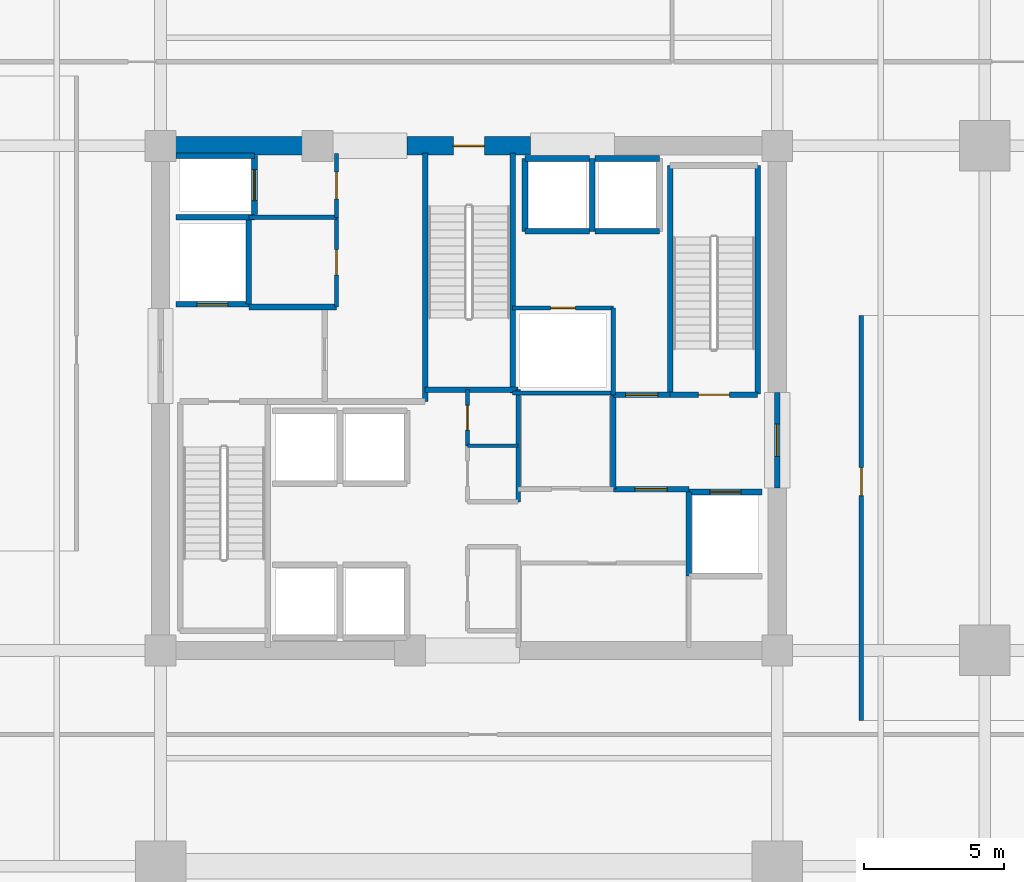
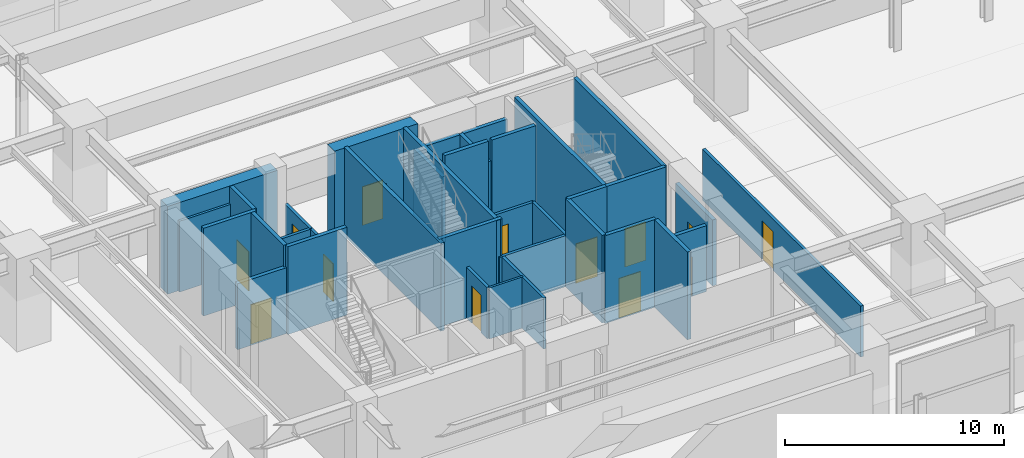
# One storey, part 31 of 35: 36 walls, 13 doors, 13 openings.
"""IFC4 building model written with IfcOpenShell, lengths in metres."""

from ifc_helpers import new_model, si_unit, direction, frame, frame_2d, origin, place, context, subcontext, project, spatial, rectangle, extrude, material, layer, layer_set, type_object, element, fill, save


model = new_model("IFC4")

# Units and contexts
model_context = context("Model", 3, precision=1e-05, world=origin(), true_north=direction((0.0, 1.0)))
body_context = subcontext(model_context, "Body", "Model", "MODEL_VIEW")
ifc_project = project(units=[si_unit("LENGTHUNIT", "METRE"), si_unit("AREAUNIT", "SQUARE_METRE"), si_unit("VOLUMEUNIT", "CUBIC_METRE"), si_unit("PLANEANGLEUNIT", "RADIAN"), si_unit("MASSUNIT", "GRAM", prefix="KILO")], contexts=[model_context])

# Site, building, storey
site_placement = place(None, origin())
site = spatial("IfcSite", under=ifc_project, at=site_placement, CompositionType="ELEMENT")
building_placement = place(site_placement, origin())
building = spatial("IfcBuilding", under=site, at=building_placement, Name="Kovane Verandah Tower", CompositionType="ELEMENT")
storey_placement = place(building_placement, frame((0.0, 0.0, 16.39990234375)))
storey = spatial("IfcBuildingStorey", under=building, at=storey_placement, Name="L03", CompositionType="ELEMENT", Elevation=16.39990234375)

# Wall
ifc_material_1 = material(Name="Fire-Rated Gypsum Stud Partition", Category="gypsum")
ifc_layer_1 = layer(ifc_material_1, 0.14990234375)
ifc_layer_set_1 = layer_set([ifc_layer_1], Name="Fire-Rated Gypsum Stud Partition")
wall_type_1 = type_object("IfcWallType", Name="WL-COR-150", PredefinedType="PARTITIONING", material=ifc_layer_set_1)
wall_1_placement = place(storey_placement, frame((41.760009765625, 23.800048828125, 0.0), z_axis=(0.0, 0.0, 1.0), x_axis=(0.0, 1.0, 0.0)))
element("IfcWall", 1, at=wall_1_placement, inside=storey, type_object=wall_type_1, Name="L03 Central Core Strip Upper East Wall", PredefinedType="PARTITIONING", context=body_context, shape_type="SweptSolid", body=[
    extrude(rectangle(XDim=4.0, YDim=0.14990234375, at=frame_2d((2.0, 0.0))), origin(), (0.0, 0.0, 1.0), 2.85009765625),
])

# Wall, opening, door
wall_2_placement = place(storey_placement, frame((39.949951171875, 25.800048828125, 0.0), z_axis=(0.0, 0.0, 1.0), x_axis=(0.0, 1.0, 0.0)))
wall_2 = element("IfcWall", 2, at=wall_2_placement, inside=storey, type_object=wall_type_1, Name="L03 Telecom and BMS Riser Room Partition", PredefinedType="PARTITIONING", context=body_context, shape_type="SweptSolid", body=[
    extrude(rectangle(XDim=2.0, YDim=0.14990234375, at=frame_2d((1.0, 0.0))), origin(), (0.0, 0.0, 1.0), 2.85009765625),
])
opening_1_placement = place(wall_2_placement, frame((0.56005859375, 0.0, 0.0)))
opening_1 = element("IfcOpeningElement", 3, at=opening_1_placement, cuts=wall_2, Name="Opening DR-L03-021", PredefinedType="OPENING", context=body_context, shape_type="SweptSolid", body=[
    extrude(rectangle(XDim=0.8798828125, YDim=2.10009765625, at=frame_2d((0.43994140625, 1.050048828125))), frame((0.0, 0.074951171875, 0.0), z_axis=(0.0, -1.0, 0.0), x_axis=(1.0, 0.0, 0.0)), (0.0, 0.0, 1.0), 0.14990234375),
])
ifc_material_2 = material(Name="Fire-Rated Steel Riser Access Door", Category="steel")
door_type_1 = type_object("IfcDoorType", Name="DR-RISER-880", OperationType="SINGLE_SWING_LEFT", PredefinedType="DOOR", material=ifc_material_2)
door_1_placement = place(opening_1_placement, origin())
door_1 = element("IfcDoor", 4, at=door_1_placement, inside=storey, type_object=door_type_1, Name="L03 Telecom and BMS Riser Room Door", OperationType="SINGLE_SWING_LEFT", OverallHeight=2.10009765625, OverallWidth=0.8798828125, PredefinedType="DOOR", context=body_context, shape_type="SweptSolid", body=[
    extrude(rectangle(XDim=0.8798828125, YDim=2.10009765625, at=frame_2d((0.43994140625, 1.050048828125))), frame((0.0, 0.02490234375, 0.0), z_axis=(0.0, -1.0, 0.0), x_axis=(1.0, 0.0, 0.0)), (0.0, 0.0, 1.0), 0.050048828125),
])
fill(opening_1, door_1)

# Wall
wall_3_placement = place(storey_placement, frame((32.14990234375, 33.949951171875, 0.0), z_axis=(0.0, 0.0, 1.0), x_axis=(1.0, 0.0, 0.0)))
element("IfcWall", 5, at=wall_3_placement, inside=storey, type_object=wall_type_1, Name="L03 Goods Lift Lobby South Wall", PredefinedType="PARTITIONING", context=body_context, shape_type="SweptSolid", body=[
    extrude(rectangle(XDim=3.130126953125, YDim=0.14990234375, at=frame_2d((1.56494140625, 0.0))), origin(), (0.0, 0.0, 1.0), 2.85009765625),
])

# Wall, opening, door
wall_4_placement = place(storey_placement, frame((35.280029296875, 33.949951171875, 0.0), z_axis=(0.0, 0.0, 1.0), x_axis=(0.0, 1.0, 0.0)))
wall_4 = element("IfcWall", 6, at=wall_4_placement, inside=storey, type_object=wall_type_1, Name="L03 Goods Lift Lobby East Fire Partition", PredefinedType="PARTITIONING", context=body_context, shape_type="SweptSolid", body=[
    extrude(rectangle(XDim=2.27001953125, YDim=0.14990234375, at=frame_2d((1.135009765625, 0.0))), origin(), (0.0, 0.0, 1.0), 2.85009765625),
])
opening_2_placement = place(wall_4_placement, frame((0.659912109375, 0.0, 0.0)))
opening_2 = element("IfcOpeningElement", 7, at=opening_2_placement, cuts=wall_4, Name="Opening DR-L03-006", PredefinedType="OPENING", context=body_context, shape_type="SweptSolid", body=[
    extrude(rectangle(XDim=0.949951171875, YDim=2.14990234375, at=frame_2d((0.47509765625, 1.074951171875))), frame((0.0, 0.074951171875, 0.0), z_axis=(0.0, -1.0, 0.0), x_axis=(1.0, 0.0, 0.0)), (0.0, 0.0, 1.0), 0.14990234375),
])
ifc_material_3 = material(Name="Fire-Rated Steel Refuge and Lobby Door", Category="steel")
door_type_2 = type_object("IfcDoorType", Name="DR-FIRE-950", OperationType="SINGLE_SWING_LEFT", PredefinedType="DOOR", material=ifc_material_3)
door_2_placement = place(opening_2_placement, origin())
door_2 = element("IfcDoor", 8, at=door_2_placement, inside=storey, type_object=door_type_2, Name="L03 Goods Lift Lobby Fire Door", OperationType="SINGLE_SWING_RIGHT", OverallHeight=2.14990234375, OverallWidth=0.949951171875, PredefinedType="DOOR", context=body_context, shape_type="SweptSolid", body=[
    extrude(rectangle(XDim=0.949951171875, YDim=2.14990234375, at=frame_2d((0.47509765625, 1.074951171875))), frame((0.0, 0.02490234375, 0.0), z_axis=(0.0, -1.0, 0.0), x_axis=(1.0, 0.0, 0.0)), (0.0, 0.0, 1.0), 0.050048828125),
])
fill(opening_2, door_2)

wall_5_placement = place(storey_placement, frame((35.280029296875, 30.75, 0.0), z_axis=(0.0, 0.0, 1.0), x_axis=(0.0, 1.0, 0.0)))
wall_5 = element("IfcWall", 9, at=wall_5_placement, inside=storey, type_object=wall_type_1, Name="L03 Accessible Unisex Toilet Partition", PredefinedType="PARTITIONING", context=body_context, shape_type="SweptSolid", body=[
    extrude(rectangle(XDim=3.199951171875, YDim=0.14990234375, at=frame_2d((1.60009765625, 0.0))), origin(), (0.0, 0.0, 1.0), 2.85009765625),
])
opening_3_placement = place(wall_5_placement, frame((1.14990234375, 0.0, 0.0)))
opening_3 = element("IfcOpeningElement", 10, at=opening_3_placement, cuts=wall_5, Name="Opening DR-L03-023", PredefinedType="OPENING", context=body_context, shape_type="SweptSolid", body=[
    extrude(rectangle(XDim=0.89990234375, YDim=2.10009765625, at=frame_2d((0.449951171875, 1.050048828125))), frame((0.0, 0.074951171875, 0.0), z_axis=(0.0, -1.0, 0.0), x_axis=(1.0, 0.0, 0.0)), (0.0, 0.0, 1.0), 0.14990234375),
])
ifc_material_4 = material(Name="Moisture-Resistant Laminate Washroom Door", Category="wood")
door_type_3 = type_object("IfcDoorType", Name="DR-WC-900", OperationType="SINGLE_SWING_LEFT", PredefinedType="DOOR", material=ifc_material_4)
door_3_placement = place(opening_3_placement, origin())
door_3 = element("IfcDoor", 11, at=door_3_placement, inside=storey, type_object=door_type_3, Name="L03 Accessible Unisex Toilet Door", OperationType="SINGLE_SWING_LEFT", OverallHeight=2.10009765625, OverallWidth=0.89990234375, PredefinedType="DOOR", context=body_context, shape_type="SweptSolid", body=[
    extrude(rectangle(XDim=0.89990234375, YDim=2.10009765625, at=frame_2d((0.449951171875, 1.050048828125))), frame((0.0, 0.02490234375, 0.0), z_axis=(0.0, -1.0, 0.0), x_axis=(1.0, 0.0, 0.0)), (0.0, 0.0, 1.0), 0.050048828125),
])
fill(opening_3, door_3)

# Walls
wall_6_placement = place(storey_placement, frame((41.56005859375, 27.679931640625, 0.0), z_axis=(0.0, 0.0, 1.0), x_axis=(1.0, 0.0, 0.0)))
element("IfcWall", 12, at=wall_6_placement, inside=storey, type_object=wall_type_1, Name="L03 East Core Service Riser South Wall", PredefinedType="PARTITIONING", context=body_context, shape_type="SweptSolid", body=[
    extrude(rectangle(XDim=3.58984375, YDim=0.14990234375, at=frame_2d((1.794921875, 0.0))), origin(), (0.0, 0.0, 1.0), 2.85009765625),
])
wall_7_placement = place(storey_placement, frame((45.14990234375, 27.6201171875, 0.0), z_axis=(0.0, 0.0, 1.0), x_axis=(0.0, 1.0, 0.0)))
element("IfcWall", 13, at=wall_7_placement, inside=storey, type_object=wall_type_1, Name="L03 East Core Service Riser East Wall", PredefinedType="PARTITIONING", context=body_context, shape_type="SweptSolid", body=[
    extrude(rectangle(XDim=3.099853515625, YDim=0.14990234375, at=frame_2d((1.5498046875, 0.0))), origin(), (0.0, 0.0, 1.0), 2.85009765625),
])

# Wall, opening, door
wall_8_placement = place(storey_placement, frame((41.56005859375, 30.719970703125, 0.0), z_axis=(0.0, 0.0, 1.0), x_axis=(1.0, 0.0, 0.0)))
wall_8 = element("IfcWall", 14, at=wall_8_placement, inside=storey, type_object=wall_type_1, Name="L03 Combined Chilled Water and Smoke Duct Room Partition", PredefinedType="PARTITIONING", context=body_context, shape_type="SweptSolid", body=[
    extrude(rectangle(XDim=3.58984375, YDim=0.14990234375, at=frame_2d((1.794921875, 0.0))), origin(), (0.0, 0.0, 1.0), 2.85009765625),
])
opening_4_placement = place(wall_8_placement, frame((1.35498046875, 0.0, 0.0)))
opening_4 = element("IfcOpeningElement", 15, at=opening_4_placement, cuts=wall_8, Name="Opening DR-L03-017", PredefinedType="OPENING", context=body_context, shape_type="SweptSolid", body=[
    extrude(rectangle(XDim=0.8798828125, YDim=2.10009765625, at=frame_2d((0.43994140625, 1.050048828125))), frame((0.0, 0.074951171875, 0.0), z_axis=(0.0, -1.0, 0.0), x_axis=(1.0, 0.0, 0.0)), (0.0, 0.0, 1.0), 0.14990234375),
])
door_4_placement = place(opening_4_placement, origin())
door_4 = element("IfcDoor", 16, at=door_4_placement, inside=storey, type_object=door_type_1, Name="L03 Combined Chilled Water and Smoke Duct Room Door", OperationType="SINGLE_SWING_RIGHT", OverallHeight=2.10009765625, OverallWidth=0.8798828125, PredefinedType="DOOR", context=body_context, shape_type="SweptSolid", body=[
    extrude(rectangle(XDim=0.8798828125, YDim=2.10009765625, at=frame_2d((0.43994140625, 1.050048828125))), frame((0.0, 0.02490234375, 0.0), z_axis=(0.0, -1.0, 0.0), x_axis=(1.0, 0.0, 0.0)), (0.0, 0.0, 1.0), 0.050048828125),
])
fill(opening_4, door_4)

wall_9_placement = place(storey_placement, frame((54.0, 16.0, 0.0), z_axis=(0.0, 0.0, 1.0), x_axis=(0.0, 1.0, 0.0)))
wall_9 = element("IfcWall", 17, at=wall_9_placement, inside=storey, type_object=wall_type_1, Name="L03 East Tenant Business Lounge Corridor Partition", PredefinedType="PARTITIONING", context=body_context, shape_type="SweptSolid", body=[
    extrude(rectangle(XDim=14.449951171875, YDim=0.14990234375, at=frame_2d((7.22509765625, 0.0))), origin(), (0.0, 0.0, 1.0), 2.85009765625),
])
opening_5_placement = place(wall_9_placement, frame((8.02490234375, 0.0, 0.0)))
opening_5 = element("IfcOpeningElement", 18, at=opening_5_placement, cuts=wall_9, Name="Opening DR-L03-014", PredefinedType="OPENING", context=body_context, shape_type="SweptSolid", body=[
    extrude(rectangle(XDim=1.0, YDim=2.14990234375, at=frame_2d((0.5, 1.074951171875))), frame((0.0, 0.074951171875, 0.0), z_axis=(0.0, -1.0, 0.0), x_axis=(1.0, 0.0, 0.0)), (0.0, 0.0, 1.0), 0.14990234375),
])
ifc_material_5 = material(Name="FSC Spotted-Gum Timber Fire-Rated Office Door", Category="wood")
door_type_4 = type_object("IfcDoorType", Name="DR-OFF-1000", OperationType="SINGLE_SWING_LEFT", PredefinedType="DOOR", material=ifc_material_5)
door_5_placement = place(opening_5_placement, origin())
door_5 = element("IfcDoor", 19, at=door_5_placement, inside=storey, type_object=door_type_4, Name="L03 East Tenant Business Lounge Entrance Door", OperationType="SINGLE_SWING_LEFT", OverallHeight=2.14990234375, OverallWidth=1.0, PredefinedType="DOOR", context=body_context, shape_type="SweptSolid", body=[
    extrude(rectangle(XDim=1.0, YDim=2.14990234375, at=frame_2d((0.5, 1.074951171875))), frame((0.0, 0.02490234375, 0.0), z_axis=(0.0, -1.0, 0.0), x_axis=(1.0, 0.0, 0.0)), (0.0, 0.0, 1.0), 0.050048828125),
])
fill(opening_5, door_5)

# Wall
ifc_material_6 = material(Name="Concrete C80/95", Category="concrete")
ifc_layer_2 = layer(ifc_material_6, 0.64990234375)
ifc_layer_set_2 = layer_set([ifc_layer_2], Name="Concrete C80/95")
wall_type_2 = type_object("IfcWallType", Name="WL-CORE-650", PredefinedType="SHEAR", material=ifc_layer_set_2)
wall_10_placement = place(storey_placement, frame((29.0, 36.5, 0.0), z_axis=(0.0, 0.0, 1.0), x_axis=(1.0, 0.0, 0.0)))
element("IfcWall", 20, at=wall_10_placement, inside=storey, type_object=wall_type_2, Name="L03 Core Shear Wall CN-1", PredefinedType="SHEAR", context=body_context, shape_type="SweptSolid", body=[
    extrude(rectangle(XDim=5.800048828125, YDim=0.64990234375, at=frame_2d((2.89990234375, 0.0))), origin(), (0.0, 0.0, 1.0), 4.900146484375),
])

# Wall, opening, door
wall_11_placement = place(storey_placement, frame((37.800048828125, 36.5, 0.0), z_axis=(0.0, 0.0, 1.0), x_axis=(1.0, 0.0, 0.0)))
wall_11 = element("IfcWall", 21, at=wall_11_placement, inside=storey, type_object=wall_type_2, Name="L03 Core Shear Wall CN-2", PredefinedType="SHEAR", context=body_context, shape_type="SweptSolid", body=[
    extrude(rectangle(XDim=4.39990234375, YDim=0.64990234375, at=frame_2d((2.199951171875, 0.0))), origin(), (0.0, 0.0, 1.0), 4.900146484375),
])
opening_6_placement = place(wall_11_placement, frame((1.64990234375, 0.0, 0.0)))
opening_6 = element("IfcOpeningElement", 22, at=opening_6_placement, cuts=wall_11, Name="Opening DR-L03-009", PredefinedType="OPENING", context=body_context, shape_type="SweptSolid", body=[
    extrude(rectangle(XDim=1.10009765625, YDim=2.14990234375, at=frame_2d((0.550048828125, 1.074951171875))), frame((0.0, 0.324951171875, 0.0), z_axis=(0.0, -1.0, 0.0), x_axis=(1.0, 0.0, 0.0)), (0.0, 0.0, 1.0), 0.64990234375),
])
ifc_material_7 = material(Name="Fire-Rated Steel Exit Door", Category="steel")
door_type_5 = type_object("IfcDoorType", Name="DR-STAIR-1100", OperationType="SINGLE_SWING_LEFT", PredefinedType="DOOR", material=ifc_material_7)
door_6_placement = place(opening_6_placement, origin())
door_6 = element("IfcDoor", 23, at=door_6_placement, inside=storey, type_object=door_type_5, Name="L03 ST-03 Fire Exit Stair Door", OperationType="SINGLE_SWING_RIGHT", OverallHeight=2.14990234375, OverallWidth=1.10009765625, PredefinedType="DOOR", context=body_context, shape_type="SweptSolid", body=[
    extrude(rectangle(XDim=1.10009765625, YDim=2.14990234375, at=frame_2d((0.550048828125, 1.074951171875))), frame((0.0, 0.02490234375, 0.0), z_axis=(0.0, -1.0, 0.0), x_axis=(1.0, 0.0, 0.0)), (0.0, 0.0, 1.0), 0.050048828125),
])
fill(opening_6, door_6)

# Walls
ifc_material_8 = material(Name="Concrete C45/55 Fire Wall", Category="concrete")
ifc_layer_3 = layer(ifc_material_8, 0.199951171875)
ifc_layer_set_3 = layer_set([ifc_layer_3], Name="Concrete C45/55 Fire Wall")
wall_type_3 = type_object("IfcWallType", Name="WL-FFL-200", PredefinedType="PARTITIONING", material=ifc_layer_set_3)
wall_12_placement = place(storey_placement, frame((32.14990234375, 30.75, 0.0), z_axis=(0.0, 0.0, 1.0), x_axis=(1.0, 0.0, 0.0)))
element("IfcWall", 24, at=wall_12_placement, inside=storey, type_object=wall_type_3, Name="L03 West Firefighting Lobby North Fire Wall", PredefinedType="PARTITIONING", context=body_context, shape_type="SweptSolid", body=[
    extrude(rectangle(XDim=3.130126953125, YDim=0.199951171875, at=frame_2d((1.56494140625, 0.0))), origin(), (0.0, 0.0, 1.0), 4.900146484375),
])
wall_13_placement = place(storey_placement, frame((45.14990234375, 24.25, 0.0), z_axis=(0.0, 0.0, 1.0), x_axis=(0.0, 1.0, 0.0)))
element("IfcWall", 25, at=wall_13_placement, inside=storey, type_object=wall_type_3, Name="L03 East Firefighting Lobby West Fire Wall", PredefinedType="PARTITIONING", context=body_context, shape_type="SweptSolid", body=[
    extrude(rectangle(XDim=3.3701171875, YDim=0.199951171875, at=frame_2d((1.68505859375, 0.0))), origin(), (0.0, 0.0, 1.0), 4.900146484375),
])

# Wall, opening, door
wall_14_placement = place(storey_placement, frame((45.14990234375, 24.25, 0.0), z_axis=(0.0, 0.0, 1.0), x_axis=(1.0, 0.0, 0.0)))
wall_14 = element("IfcWall", 26, at=wall_14_placement, inside=storey, type_object=wall_type_3, Name="W-L03-FFLE-S", PredefinedType="PARTITIONING", context=body_context, shape_type="SweptSolid", body=[
    extrude(rectangle(XDim=2.7001953125, YDim=0.199951171875, at=frame_2d((1.35009765625, 0.0))), origin(), (0.0, 0.0, 1.0), 4.900146484375),
])
opening_7_placement = place(wall_14_placement, frame((0.77490234375, 0.0, 0.0)))
opening_7 = element("IfcOpeningElement", 27, at=opening_7_placement, cuts=wall_14, Name="Opening DR-L03-001", PredefinedType="OPENING", context=body_context, shape_type="SweptSolid", body=[
    extrude(rectangle(XDim=1.14990234375, YDim=2.199951171875, at=frame_2d((0.574951171875, 1.10009765625))), frame((0.0, 0.10009765625, 0.0), z_axis=(0.0, -1.0, 0.0), x_axis=(1.0, 0.0, 0.0)), (0.0, 0.0, 1.0), 0.199951171875),
])
ifc_material_9 = material(Name="Smoke-Sealed Firefighting Lobby Door", Category="steel")
door_type_6 = type_object("IfcDoorType", Name="DR-FFL-1150", OperationType="SINGLE_SWING_LEFT", PredefinedType="DOOR", material=ifc_material_9)
door_7_placement = place(opening_7_placement, origin())
door_7 = element("IfcDoor", 28, at=door_7_placement, inside=storey, type_object=door_type_6, Name="L03 East Firefighting Lobby Inner Door", OperationType="SINGLE_SWING_RIGHT", OverallHeight=2.199951171875, OverallWidth=1.14990234375, PredefinedType="DOOR", context=body_context, shape_type="SweptSolid", body=[
    extrude(rectangle(XDim=1.14990234375, YDim=2.199951171875, at=frame_2d((0.574951171875, 1.10009765625))), frame((0.0, 0.02490234375, 0.0), z_axis=(0.0, -1.0, 0.0), x_axis=(1.0, 0.0, 0.0)), (0.0, 0.0, 1.0), 0.050048828125),
])
fill(opening_7, door_7)

wall_15_placement = place(storey_placement, frame((45.14990234375, 27.6201171875, 0.0), z_axis=(0.0, 0.0, 1.0), x_axis=(1.0, 0.0, 0.0)))
wall_15 = element("IfcWall", 29, at=wall_15_placement, inside=storey, type_object=wall_type_3, Name="W-L03-FFLE-N", PredefinedType="PARTITIONING", context=body_context, shape_type="SweptSolid", body=[
    extrude(rectangle(XDim=2.030029296875, YDim=0.199951171875, at=frame_2d((1.01513671875, 0.0))), origin(), (0.0, 0.0, 1.0), 4.900146484375),
])
opening_8_placement = place(wall_15_placement, frame((0.43994140625, 0.0, 0.0)))
opening_8 = element("IfcOpeningElement", 30, at=opening_8_placement, cuts=wall_15, Name="Opening DR-L03-002", PredefinedType="OPENING", context=body_context, shape_type="SweptSolid", body=[
    extrude(rectangle(XDim=1.14990234375, YDim=2.199951171875, at=frame_2d((0.574951171875, 1.10009765625))), frame((0.0, 0.10009765625, 0.0), z_axis=(0.0, -1.0, 0.0), x_axis=(1.0, 0.0, 0.0)), (0.0, 0.0, 1.0), 0.199951171875),
])
door_8_placement = place(opening_8_placement, origin())
door_8 = element("IfcDoor", 31, at=door_8_placement, inside=storey, type_object=door_type_6, Name="L03 East Firefighting Lobby Shuttle Link Door", OperationType="SINGLE_SWING_LEFT", OverallHeight=2.199951171875, OverallWidth=1.14990234375, PredefinedType="DOOR", context=body_context, shape_type="SweptSolid", body=[
    extrude(rectangle(XDim=1.14990234375, YDim=2.199951171875, at=frame_2d((0.574951171875, 1.10009765625))), frame((0.0, 0.02490234375, 0.0), z_axis=(0.0, -1.0, 0.0), x_axis=(1.0, 0.0, 0.0)), (0.0, 0.0, 1.0), 0.050048828125),
])
fill(opening_8, door_8)

wall_16_placement = place(storey_placement, frame((51.0, 24.300048828125, 0.0), z_axis=(0.0, 0.0, 1.0), x_axis=(0.0, 1.0, 0.0)))
wall_16 = element("IfcWall", 32, at=wall_16_placement, inside=storey, type_object=wall_type_3, Name="W-L03-FFLE-OUT", PredefinedType="PARTITIONING", context=body_context, shape_type="SweptSolid", body=[
    extrude(rectangle(XDim=3.39990234375, YDim=0.199951171875, at=frame_2d((1.699951171875, 0.0))), origin(), (0.0, 0.0, 1.0), 3.68017578125),
])
opening_9_placement = place(wall_16_placement, frame((1.125, 0.0, 0.0)))
opening_9 = element("IfcOpeningElement", 33, at=opening_9_placement, cuts=wall_16, Name="Opening DR-L03-003", PredefinedType="OPENING", context=body_context, shape_type="SweptSolid", body=[
    extrude(rectangle(XDim=1.14990234375, YDim=2.199951171875, at=frame_2d((0.574951171875, 1.10009765625))), frame((0.0, 0.10009765625, 0.0), z_axis=(0.0, -1.0, 0.0), x_axis=(1.0, 0.0, 0.0)), (0.0, 0.0, 1.0), 0.199951171875),
])
door_9_placement = place(opening_9_placement, origin())
door_9 = element("IfcDoor", 34, at=door_9_placement, inside=storey, type_object=door_type_6, Name="L03 East Firefighting Lobby Corridor Door", OperationType="SINGLE_SWING_LEFT", OverallHeight=2.199951171875, OverallWidth=1.14990234375, PredefinedType="DOOR", context=body_context, shape_type="SweptSolid", body=[
    extrude(rectangle(XDim=1.14990234375, YDim=2.199951171875, at=frame_2d((0.574951171875, 1.10009765625))), frame((0.0, 0.02490234375, 0.0), z_axis=(0.0, -1.0, 0.0), x_axis=(1.0, 0.0, 0.0)), (0.0, 0.0, 1.0), 0.050048828125),
])
fill(opening_9, door_9)

ifc_material_10 = material(Name="Concrete C45/55 Lift Shaft Wall", Category="concrete")
ifc_layer_4 = layer(ifc_material_10, 0.199951171875)
ifc_layer_set_4 = layer_set([ifc_layer_4], Name="Concrete C45/55 Lift Shaft Wall")
wall_type_4 = type_object("IfcWallType", Name="WL-LIFT-200", PredefinedType="SOLIDWALL", material=ifc_layer_set_4)
wall_17_placement = place(storey_placement, frame((29.550048828125, 30.85009765625, 0.0), z_axis=(0.0, 0.0, 1.0), x_axis=(1.0, 0.0, 0.0)))
wall_17 = element("IfcWall", 35, at=wall_17_placement, inside=storey, type_object=wall_type_4, Name="L03 Lift FL-01 S Shaft Wall", PredefinedType="SOLIDWALL", context=body_context, shape_type="SweptSolid", body=[
    extrude(rectangle(XDim=2.599853515625, YDim=0.199951171875, at=frame_2d((1.2998046875, 0.0))), origin(), (0.0, 0.0, 1.0), 3.68017578125),
])
opening_10_placement = place(wall_17_placement, frame((0.75, 0.0, 0.0)))
opening_10 = element("IfcOpeningElement", 36, at=opening_10_placement, cuts=wall_17, Name="Opening LD-L03-001", PredefinedType="OPENING", context=body_context, shape_type="SweptSolid", body=[
    extrude(rectangle(XDim=1.10009765625, YDim=2.199951171875, at=frame_2d((0.550048828125, 1.10009765625))), frame((0.0, 0.10009765625, 0.0), z_axis=(0.0, -1.0, 0.0), x_axis=(1.0, 0.0, 0.0)), (0.0, 0.0, 1.0), 0.199951171875),
])
ifc_material_11 = material(Name="Brushed Stainless Steel Sliding Lift Landing Door", Category="steel")
door_type_7 = type_object("IfcDoorType", Name="DR-LIFT-1100", OperationType="SLIDING_TO_RIGHT", PredefinedType="DOOR", material=ifc_material_11)
door_10_placement = place(opening_10_placement, origin())
door_10 = element("IfcDoor", 37, at=door_10_placement, inside=storey, type_object=door_type_7, Name="L03 Lift FL-01 Sliding Landing Door", OperationType="SLIDING_TO_RIGHT", OverallHeight=2.199951171875, OverallWidth=1.10009765625, PredefinedType="DOOR", context=body_context, shape_type="SweptSolid", body=[
    extrude(rectangle(XDim=1.10009765625, YDim=2.199951171875, at=frame_2d((0.550048828125, 1.10009765625))), frame((0.0, 0.02490234375, 0.0), z_axis=(0.0, -1.0, 0.0), x_axis=(1.0, 0.0, 0.0)), (0.0, 0.0, 1.0), 0.050048828125),
])
fill(opening_10, door_10)

# Walls
wall_18_placement = place(storey_placement, frame((29.550048828125, 33.949951171875, 0.0), z_axis=(0.0, 0.0, 1.0), x_axis=(1.0, 0.0, 0.0)))
element("IfcWall", 38, at=wall_18_placement, inside=storey, type_object=wall_type_4, Name="L03 Lift FL-01 and GL-01 Shared Shaft Wall", PredefinedType="SOLIDWALL", context=body_context, shape_type="SweptSolid", body=[
    extrude(rectangle(XDim=2.800048828125, YDim=0.199951171875, at=frame_2d((1.39990234375, 0.0))), origin(), (0.0, 0.0, 1.0), 4.900146484375),
])
wall_19_placement = place(storey_placement, frame((32.14990234375, 30.85009765625, 0.0), z_axis=(0.0, 0.0, 1.0), x_axis=(0.0, 1.0, 0.0)))
element("IfcWall", 39, at=wall_19_placement, inside=storey, type_object=wall_type_4, Name="L03 Lift FL-01 E Shaft Wall", PredefinedType="SOLIDWALL", context=body_context, shape_type="SweptSolid", body=[
    extrude(rectangle(XDim=3.0, YDim=0.199951171875, at=frame_2d((1.5, 0.0))), origin(), (0.0, 0.0, 1.0), 4.900146484375),
])

# Wall, opening, door
wall_20_placement = place(storey_placement, frame((50.449951171875, 24.14990234375, 0.0), z_axis=(0.0, 0.0, 1.0), x_axis=(-1.0, 0.0, 0.0)))
wall_20 = element("IfcWall", 40, at=wall_20_placement, inside=storey, type_object=wall_type_4, Name="L03 Lift FL-02 N Shaft Wall", PredefinedType="SOLIDWALL", context=body_context, shape_type="SweptSolid", body=[
    extrude(rectangle(XDim=2.599853515625, YDim=0.199951171875, at=frame_2d((1.2998046875, 0.0))), origin(), (0.0, 0.0, 1.0), 3.68017578125),
])
opening_11_placement = place(wall_20_placement, frame((0.75, 0.0, 0.0)))
opening_11 = element("IfcOpeningElement", 41, at=opening_11_placement, cuts=wall_20, Name="Opening LD-L03-002", PredefinedType="OPENING", context=body_context, shape_type="SweptSolid", body=[
    extrude(rectangle(XDim=1.10009765625, YDim=2.199951171875, at=frame_2d((0.550048828125, 1.10009765625))), frame((0.0, 0.10009765625, 0.0), z_axis=(0.0, -1.0, 0.0), x_axis=(1.0, 0.0, 0.0)), (0.0, 0.0, 1.0), 0.199951171875),
])
door_11_placement = place(opening_11_placement, origin())
door_11 = element("IfcDoor", 42, at=door_11_placement, inside=storey, type_object=door_type_7, Name="L03 Lift FL-02 Sliding Landing Door", OperationType="SLIDING_TO_RIGHT", OverallHeight=2.199951171875, OverallWidth=1.10009765625, PredefinedType="DOOR", context=body_context, shape_type="SweptSolid", body=[
    extrude(rectangle(XDim=1.10009765625, YDim=2.199951171875, at=frame_2d((0.550048828125, 1.10009765625))), frame((0.0, 0.02490234375, 0.0), z_axis=(0.0, -1.0, 0.0), x_axis=(1.0, 0.0, 0.0)), (0.0, 0.0, 1.0), 0.050048828125),
])
fill(opening_11, door_11)

# Walls
wall_21_placement = place(storey_placement, frame((47.85009765625, 24.14990234375, 0.0), z_axis=(0.0, 0.0, 1.0), x_axis=(0.0, -1.0, 0.0)))
element("IfcWall", 43, at=wall_21_placement, inside=storey, type_object=wall_type_4, Name="L03 Lift FL-02 W Shaft Wall", PredefinedType="SOLIDWALL", context=body_context, shape_type="SweptSolid", body=[
    extrude(rectangle(XDim=3.0, YDim=0.199951171875, at=frame_2d((1.5, 0.0))), origin(), (0.0, 0.0, 1.0), 4.900146484375),
])
wall_22_placement = place(storey_placement, frame((32.35009765625, 36.14990234375, 0.0), z_axis=(0.0, 0.0, 1.0), x_axis=(-1.0, 0.0, 0.0)))
element("IfcWall", 44, at=wall_22_placement, inside=storey, type_object=wall_type_4, Name="L03 Lift GL-01 N Shaft Wall", PredefinedType="SOLIDWALL", context=body_context, shape_type="SweptSolid", body=[
    extrude(rectangle(XDim=2.800048828125, YDim=0.199951171875, at=frame_2d((1.39990234375, 0.0))), origin(), (0.0, 0.0, 1.0), 3.958984375),
])

# Wall, opening, door
wall_23_placement = place(storey_placement, frame((32.35009765625, 34.050048828125, 0.0), z_axis=(0.0, 0.0, 1.0), x_axis=(0.0, 1.0, 0.0)))
wall_23 = element("IfcWall", 45, at=wall_23_placement, inside=storey, type_object=wall_type_4, Name="L03 Lift GL-01 E Shaft Wall", PredefinedType="SOLIDWALL", context=body_context, shape_type="SweptSolid", body=[
    extrude(rectangle(XDim=2.099853515625, YDim=0.199951171875, at=frame_2d((1.0498046875, 0.0))), origin(), (0.0, 0.0, 1.0), 4.900146484375),
])
opening_12_placement = place(wall_23_placement, frame((0.5, 0.0, 0.0)))
opening_12 = element("IfcOpeningElement", 46, at=opening_12_placement, cuts=wall_23, Name="Opening LD-L03-003", PredefinedType="OPENING", context=body_context, shape_type="SweptSolid", body=[
    extrude(rectangle(XDim=1.10009765625, YDim=2.199951171875, at=frame_2d((0.550048828125, 1.10009765625))), frame((0.0, 0.10009765625, 0.0), z_axis=(0.0, -1.0, 0.0), x_axis=(1.0, 0.0, 0.0)), (0.0, 0.0, 1.0), 0.199951171875),
])
door_12_placement = place(opening_12_placement, origin())
door_12 = element("IfcDoor", 47, at=door_12_placement, inside=storey, type_object=door_type_7, Name="L03 Lift GL-01 Sliding Landing Door", OperationType="SLIDING_TO_RIGHT", OverallHeight=2.199951171875, OverallWidth=1.10009765625, PredefinedType="DOOR", context=body_context, shape_type="SweptSolid", body=[
    extrude(rectangle(XDim=1.10009765625, YDim=2.199951171875, at=frame_2d((0.550048828125, 1.10009765625))), frame((0.0, 0.02490234375, 0.0), z_axis=(0.0, -1.0, 0.0), x_axis=(1.0, 0.0, 0.0)), (0.0, 0.0, 1.0), 0.050048828125),
])
fill(opening_12, door_12)

# Walls
wall_24_placement = place(storey_placement, frame((42.0, 33.449951171875, 0.0), z_axis=(0.0, 0.0, 1.0), x_axis=(1.0, 0.0, 0.0)))
element("IfcWall", 48, at=wall_24_placement, inside=storey, type_object=wall_type_4, Name="L03 Lift SL-01 S Shaft Wall", PredefinedType="SOLIDWALL", context=body_context, shape_type="SweptSolid", body=[
    extrude(rectangle(XDim=2.300048828125, YDim=0.199951171875, at=frame_2d((1.14990234375, 0.0))), origin(), (0.0, 0.0, 1.0), 4.900146484375),
])
wall_25_placement = place(storey_placement, frame((44.300048828125, 36.050048828125, 0.0), z_axis=(0.0, 0.0, 1.0), x_axis=(-1.0, 0.0, 0.0)))
element("IfcWall", 49, at=wall_25_placement, inside=storey, type_object=wall_type_4, Name="L03 Lift SL-01 N Shaft Wall", PredefinedType="SOLIDWALL", context=body_context, shape_type="SweptSolid", body=[
    extrude(rectangle(XDim=2.300048828125, YDim=0.199951171875, at=frame_2d((1.14990234375, 0.0))), origin(), (0.0, 0.0, 1.0), 3.68017578125),
])
for number, where, z_axis, x_axis, name in (
    (50, (42.0, 36.050048828125, 0.0), (0.0, 0.0, 1.0), (0.0, -1.0, 0.0), "L03 Lift SL-01 W Shaft Wall"),
    (51, (44.39990234375, 33.449951171875, 0.0), (0.0, 0.0, 1.0), (0.0, 1.0, 0.0), "L03 Lift OL-01 and SL-01 Shared Shaft Wall"),
):
    element("IfcWall", number, at=place(storey_placement, frame(where, z_axis=z_axis, x_axis=x_axis)), inside=storey, type_object=wall_type_4, Name=name, PredefinedType="SOLIDWALL", context=body_context, shape_type="SweptSolid", body=[
        extrude(rectangle(XDim=2.60009765625, YDim=0.199951171875, at=frame_2d((1.300048828125, 0.0))), origin(), (0.0, 0.0, 1.0), 3.68017578125),
    ])
wall_26_placement = place(storey_placement, frame((44.5, 33.449951171875, 0.0), z_axis=(0.0, 0.0, 1.0), x_axis=(1.0, 0.0, 0.0)))
element("IfcWall", 52, at=wall_26_placement, inside=storey, type_object=wall_type_4, Name="L03 Lift OL-01 S Shaft Wall", PredefinedType="SOLIDWALL", context=body_context, shape_type="SweptSolid", body=[
    extrude(rectangle(XDim=2.300048828125, YDim=0.199951171875, at=frame_2d((1.14990234375, 0.0))), origin(), (0.0, 0.0, 1.0), 4.900146484375),
])
wall_27_placement = place(storey_placement, frame((46.800048828125, 36.050048828125, 0.0), z_axis=(0.0, 0.0, 1.0), x_axis=(-1.0, 0.0, 0.0)))
element("IfcWall", 53, at=wall_27_placement, inside=storey, type_object=wall_type_4, Name="L03 Lift OL-01 N Shaft Wall", PredefinedType="SOLIDWALL", context=body_context, shape_type="SweptSolid", body=[
    extrude(rectangle(XDim=2.300048828125, YDim=0.199951171875, at=frame_2d((1.14990234375, 0.0))), origin(), (0.0, 0.0, 1.0), 3.68017578125),
])
ifc_material_12 = material(Name="Acoustic Fire-Rated Gypsum Partition", Category="gypsum")
ifc_layer_5 = layer(ifc_material_12, 0.1201171875)
ifc_layer_set_5 = layer_set([ifc_layer_5], Name="Acoustic Fire-Rated Gypsum Partition")
wall_type_5 = type_object("IfcWallType", Name="WL-PART-120", PredefinedType="PARTITIONING", material=ifc_layer_set_5)
wall_28_placement = place(storey_placement, frame((39.949951171875, 25.800048828125, 0.0), z_axis=(0.0, 0.0, 1.0), x_axis=(1.0, 0.0, 0.0)))
element("IfcWall", 54, at=wall_28_placement, inside=storey, type_object=wall_type_5, Name="L03 Central Core Strip Upper Dividing Partition", PredefinedType="PARTITIONING", context=body_context, shape_type="SweptSolid", body=[
    extrude(rectangle(XDim=1.81005859375, YDim=0.1201171875, at=frame_2d((0.905029296875, 0.0))), origin(), (0.0, 0.0, 1.0), 2.85009765625),
])
ifc_material_13 = material(Name="Concrete C45/55", Category="concrete")
ifc_layer_6 = layer(ifc_material_13, 0.199951171875)
ifc_layer_set_6 = layer_set([ifc_layer_6], Name="Concrete C45/55")
wall_type_6 = type_object("IfcWallType", Name="WL-SHAFT-200", PredefinedType="SOLIDWALL", material=ifc_layer_set_6)
wall_29_placement = place(storey_placement, frame((50.300048828125, 27.64990234375, 0.0), z_axis=(0.0, 0.0, 1.0), x_axis=(0.0, 1.0, 0.0)))
element("IfcWall", 55, at=wall_29_placement, inside=storey, type_object=wall_type_6, Name="W-L03-ST02-E", PredefinedType="SOLIDWALL", context=body_context, shape_type="SweptSolid", body=[
    extrude(rectangle(XDim=8.150146484375, YDim=0.199951171875, at=frame_2d((4.0751953125, 0.0))), origin(), (0.0, 0.0, 1.0), 4.900146484375),
])
wall_30_placement = place(storey_placement, frame((47.179931640625, 27.6201171875, 0.0), z_axis=(0.0, 0.0, 1.0), x_axis=(0.0, 1.0, 0.0)))
element("IfcWall", 56, at=wall_30_placement, inside=storey, type_object=wall_type_6, Name="W-L03-ST02-W", PredefinedType="SOLIDWALL", context=body_context, shape_type="SweptSolid", body=[
    extrude(rectangle(XDim=8.179931640625, YDim=0.199951171875, at=frame_2d((4.08984375, 0.0))), origin(), (0.0, 0.0, 1.0), 4.900146484375),
])

# Wall, opening, door
wall_31_placement = place(storey_placement, frame((47.179931640625, 27.6201171875, 0.0), z_axis=(0.0, 0.0, 1.0), x_axis=(1.0, 0.0, 0.0)))
wall_31 = element("IfcWall", 57, at=wall_31_placement, inside=storey, type_object=wall_type_6, Name="W-L03-ST02-S", PredefinedType="SOLIDWALL", context=body_context, shape_type="SweptSolid", body=[
    extrude(rectangle(XDim=3.1201171875, YDim=0.199951171875, at=frame_2d((1.56005859375, 0.0))), origin(), (0.0, 0.0, 1.0), 4.900146484375),
])
opening_13_placement = place(wall_31_placement, frame((1.010009765625, 0.0, 0.0)))
opening_13 = element("IfcOpeningElement", 58, at=opening_13_placement, cuts=wall_31, Name="Opening DR-L03-008", PredefinedType="OPENING", context=body_context, shape_type="SweptSolid", body=[
    extrude(rectangle(XDim=1.10009765625, YDim=2.14990234375, at=frame_2d((0.550048828125, 1.074951171875))), frame((0.0, 0.10009765625, 0.0), z_axis=(0.0, -1.0, 0.0), x_axis=(1.0, 0.0, 0.0)), (0.0, 0.0, 1.0), 0.199951171875),
])
door_13_placement = place(opening_13_placement, origin())
door_13 = element("IfcDoor", 59, at=door_13_placement, inside=storey, type_object=door_type_5, Name="L03 ST-02 Fire Exit Stair Door", OperationType="SINGLE_SWING_LEFT", OverallHeight=2.14990234375, OverallWidth=1.10009765625, PredefinedType="DOOR", context=body_context, shape_type="SweptSolid", body=[
    extrude(rectangle(XDim=1.10009765625, YDim=2.14990234375, at=frame_2d((0.550048828125, 1.074951171875))), frame((0.0, 0.02490234375, 0.0), z_axis=(0.0, -1.0, 0.0), x_axis=(1.0, 0.0, 0.0)), (0.0, 0.0, 1.0), 0.050048828125),
])
fill(opening_13, door_13)

# Walls
wall_32_placement = place(storey_placement, frame((38.43994140625, 27.3798828125, 0.0), z_axis=(0.0, 0.0, 1.0), x_axis=(0.0, 1.0, 0.0)))
element("IfcWall", 60, at=wall_32_placement, inside=storey, type_object=wall_type_6, Name="W-L03-ST03-W", PredefinedType="SOLIDWALL", context=body_context, shape_type="SweptSolid", body=[
    extrude(rectangle(XDim=8.8701171875, YDim=0.199951171875, at=frame_2d((4.43505859375, 0.0))), origin(), (0.0, 0.0, 1.0), 4.900146484375),
])
wall_33_placement = place(storey_placement, frame((41.56005859375, 27.679931640625, 0.0), z_axis=(0.0, 0.0, 1.0), x_axis=(0.0, 1.0, 0.0)))
element("IfcWall", 61, at=wall_33_placement, inside=storey, type_object=wall_type_6, Name="W-L03-ST03-E", PredefinedType="SOLIDWALL", context=body_context, shape_type="SweptSolid", body=[
    extrude(rectangle(XDim=8.570068359375, YDim=0.199951171875, at=frame_2d((4.28515625, 0.0))), origin(), (0.0, 0.0, 1.0), 4.900146484375),
])
wall_34_placement = place(storey_placement, frame((38.43994140625, 27.800048828125, 0.0), z_axis=(0.0, 0.0, 1.0), x_axis=(1.0, 0.0, 0.0)))
element("IfcWall", 62, at=wall_34_placement, inside=storey, type_object=wall_type_6, Name="W-L03-ST03-S", PredefinedType="SOLIDWALL", context=body_context, shape_type="SweptSolid", body=[
    extrude(rectangle(XDim=3.320068359375, YDim=0.199951171875, at=frame_2d((1.66015625, 0.0))), origin(), (0.0, 0.0, 1.0), 4.900146484375),
])

save(model, "model.ifc")
